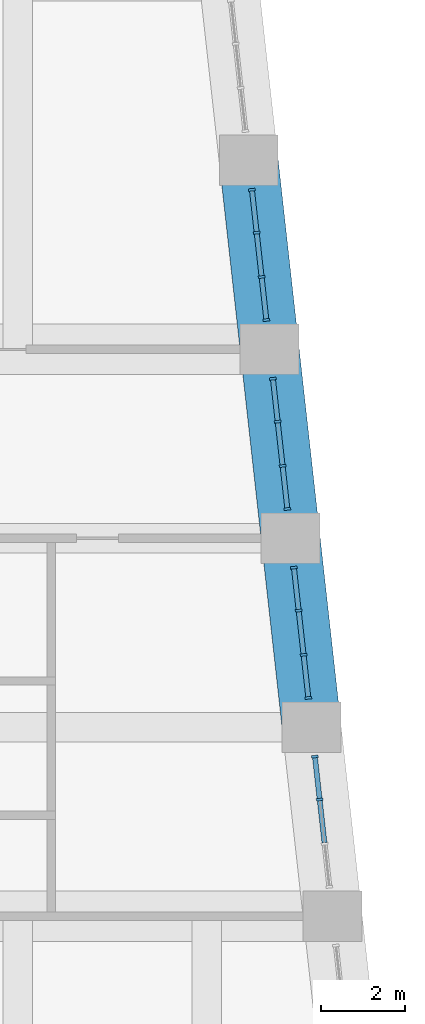
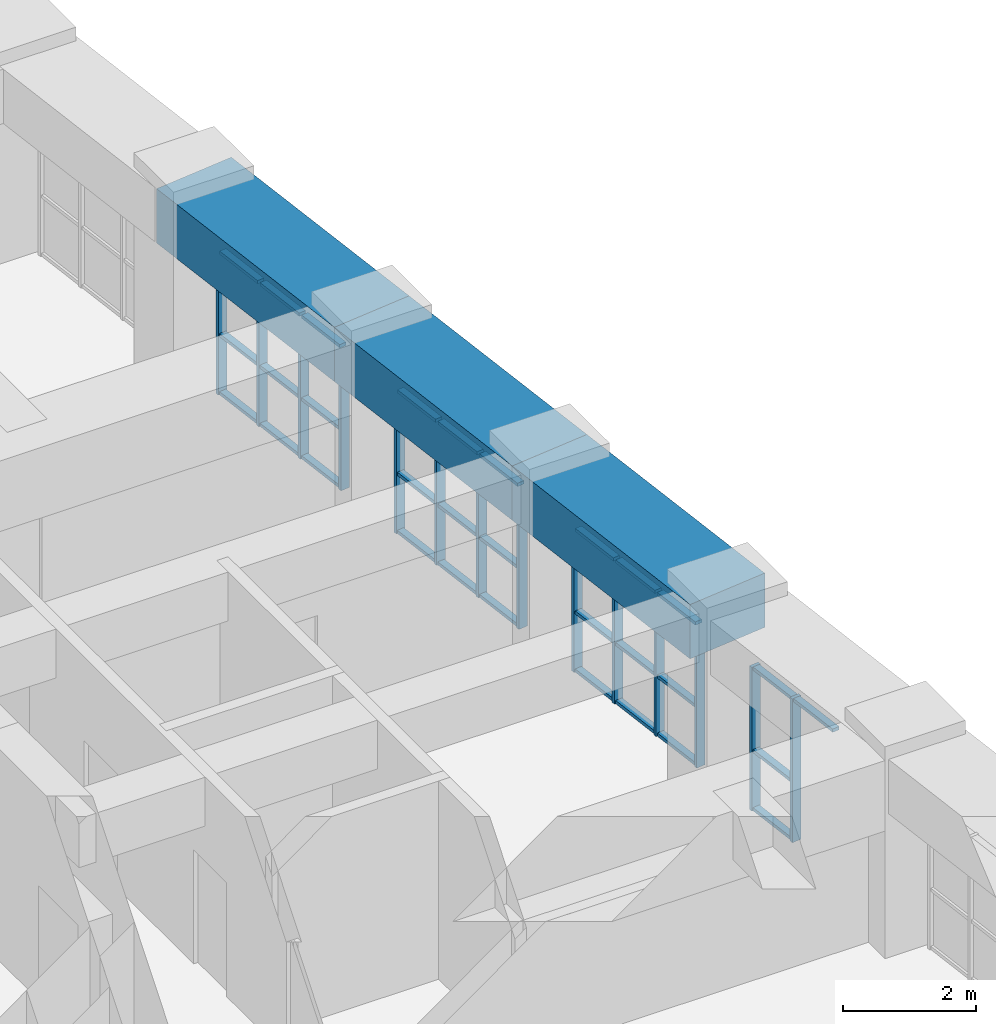
# One storey, part 7 of 18: 45 members, 3 beams, 4 elements without a shape of their own.
"""IFC4 building model written with IfcOpenShell, lengths in metres."""

from ifc_helpers import new_model, si_unit, direction, frame, origin, origin_2d, place, context, subcontext, project, spatial, rectangle, extrude, material, material_profile, profile_set, type_object, element, aggregate, save


model = new_model("IFC4")

# Units and contexts
model_context = context("Model", 3, precision=1e-05, world=origin(), true_north=direction((0.0, 1.0)))
body_context = subcontext(model_context, "Body", "Model", "MODEL_VIEW")
ifc_project = project(units=[si_unit("LENGTHUNIT", "METRE"), si_unit("AREAUNIT", "SQUARE_METRE"), si_unit("VOLUMEUNIT", "CUBIC_METRE"), si_unit("PLANEANGLEUNIT", "RADIAN"), si_unit("MASSUNIT", "GRAM", prefix="KILO")], contexts=[model_context])

# Site, building, storey
site_placement = place(None, origin())
site = spatial("IfcSite", under=ifc_project, at=site_placement, CompositionType="ELEMENT")
building_placement = place(site_placement, origin())
building = spatial("IfcBuilding", under=site, at=building_placement, Name="Kilele Tower Hotel", CompositionType="ELEMENT")
storey_placement = place(building_placement, frame((0.0, 0.0, 281.89990234375)))
storey = spatial("IfcBuildingStorey", under=building, at=storey_placement, Name="L72", CompositionType="ELEMENT", Elevation=281.89990234375)

# Curtain wall, members
ifc_material_1 = material(Name="Aluminium curtain wall, clear double glazing", Category="aluminium")
curtain_wall_type = type_object("IfcCurtainWallType", Name="Sky restaurant curtain wall CW-5", PredefinedType="NOTDEFINED", material=ifc_material_1)
curtain_wall_1_placement = place(storey_placement, origin())
curtain_wall_1 = element("IfcCurtainWall", 1, at=curtain_wall_1_placement, inside=storey, type_object=curtain_wall_type, Name="Sky restaurant curtain wall CW-5 L72", PredefinedType="NOTDEFINED")
ifc_material_2 = material(Name="Aluminium EN AW-6063 T6", Category="aluminium")
ifc_material_profile_1 = material_profile(ifc_material_2, rectangle(XDim=0.159912109375, YDim=0.06005859375, at=origin_2d()))
ifc_profile_set_1 = profile_set([ifc_material_profile_1], Name="Aluminium EN AW-6063 T6")
member_type_1 = type_object("IfcMemberType", Name="Mullion 60x160 CW-5", PredefinedType="MULLION", material=ifc_profile_set_1)
member_1_placement = place(storey_placement, frame((47.69140625, 16.27685546875, 0.0), z_axis=(0.0, 0.0, 1.0), x_axis=(-0.993883734681, -0.110431526007, 0.0)))
member_1 = element("IfcMember", 2, at=member_1_placement, type_object=member_type_1, Name="CW-5 mullion 3", PredefinedType="MULLION", context=body_context, shape_type="SweptSolid", body=[
    extrude(rectangle(XDim=0.159912109375, YDim=0.06005859375, at=origin_2d()), origin(), (0.0, 0.0, 1.0), 2.650146484375),
])
member_2_placement = place(storey_placement, frame((47.57763671875, 17.30078125, 0.0), z_axis=(0.0, 0.0, 1.0), x_axis=(-0.993883734681, -0.110431526007, 0.0)))
member_2 = element("IfcMember", 3, at=member_2_placement, type_object=member_type_1, Name="CW-5 mullion 4", PredefinedType="MULLION", context=body_context, shape_type="SweptSolid", body=[
    extrude(rectangle(XDim=0.159912109375, YDim=0.06005859375, at=origin_2d()), origin(), (0.0, 0.0, 1.0), 2.650146484375),
])

curtain_wall_2_placement = place(storey_placement, origin())
curtain_wall_2 = element("IfcCurtainWall", 4, at=curtain_wall_2_placement, inside=storey, type_object=curtain_wall_type, Name="Sky restaurant curtain wall CW-5 L72", PredefinedType="NOTDEFINED")
member_3_placement = place(storey_placement, frame((47.42236328125, 18.69921875, 0.0), z_axis=(0.0, 0.0, 1.0), x_axis=(-0.993883734681, -0.110431526007, 0.0)))
member_3 = element("IfcMember", 5, at=member_3_placement, type_object=member_type_1, Name="CW-5 mullion 1", PredefinedType="MULLION", context=body_context, shape_type="SweptSolid", body=[
    extrude(rectangle(XDim=0.159912109375, YDim=0.06005859375, at=origin_2d()), origin(), (0.0, 0.0, 1.0), 2.650146484375),
])
member_4_placement = place(storey_placement, frame((47.30859375, 19.72314453125, 0.0), z_axis=(0.0, 0.0, 1.0), x_axis=(-0.993883734681, -0.110431526007, 0.0)))
member_4 = element("IfcMember", 6, at=member_4_placement, type_object=member_type_1, Name="CW-5 mullion 2", PredefinedType="MULLION", context=body_context, shape_type="SweptSolid", body=[
    extrude(rectangle(XDim=0.159912109375, YDim=0.06005859375, at=origin_2d()), origin(), (0.0, 0.0, 1.0), 2.650146484375),
])
member_5_placement = place(storey_placement, frame((47.19140625, 20.77685546875, 0.0), z_axis=(0.0, 0.0, 1.0), x_axis=(-0.993883734681, -0.110431526007, 0.0)))
member_5 = element("IfcMember", 7, at=member_5_placement, type_object=member_type_1, Name="CW-5 mullion 3", PredefinedType="MULLION", context=body_context, shape_type="SweptSolid", body=[
    extrude(rectangle(XDim=0.159912109375, YDim=0.06005859375, at=origin_2d()), origin(), (0.0, 0.0, 1.0), 2.650146484375),
])
member_6_placement = place(storey_placement, frame((47.07763671875, 21.80078125, 0.0), z_axis=(0.0, 0.0, 1.0), x_axis=(-0.993883734681, -0.110431526007, 0.0)))
member_6 = element("IfcMember", 8, at=member_6_placement, type_object=member_type_1, Name="CW-5 mullion 4", PredefinedType="MULLION", context=body_context, shape_type="SweptSolid", body=[
    extrude(rectangle(XDim=0.159912109375, YDim=0.06005859375, at=origin_2d()), origin(), (0.0, 0.0, 1.0), 2.650146484375),
])

curtain_wall_3_placement = place(storey_placement, origin())
curtain_wall_3 = element("IfcCurtainWall", 9, at=curtain_wall_3_placement, inside=storey, type_object=curtain_wall_type, Name="Sky restaurant curtain wall CW-5 L72", PredefinedType="NOTDEFINED")
member_7_placement = place(storey_placement, frame((46.92236328125, 23.19921875, 0.0), z_axis=(0.0, 0.0, 1.0), x_axis=(-0.993883734681, -0.110431526007, 0.0)))
member_7 = element("IfcMember", 10, at=member_7_placement, type_object=member_type_1, Name="CW-5 mullion 1", PredefinedType="MULLION", context=body_context, shape_type="SweptSolid", body=[
    extrude(rectangle(XDim=0.159912109375, YDim=0.06005859375, at=origin_2d()), origin(), (0.0, 0.0, 1.0), 2.650146484375),
])
member_8_placement = place(storey_placement, frame((46.80859375, 24.22314453125, 0.0), z_axis=(0.0, 0.0, 1.0), x_axis=(-0.993883734681, -0.110431526007, 0.0)))
member_8 = element("IfcMember", 11, at=member_8_placement, type_object=member_type_1, Name="CW-5 mullion 2", PredefinedType="MULLION", context=body_context, shape_type="SweptSolid", body=[
    extrude(rectangle(XDim=0.159912109375, YDim=0.06005859375, at=origin_2d()), origin(), (0.0, 0.0, 1.0), 2.650146484375),
])
member_9_placement = place(storey_placement, frame((46.69140625, 25.27685546875, 0.0), z_axis=(0.0, 0.0, 1.0), x_axis=(-0.993883734681, -0.110431526007, 0.0)))
member_9 = element("IfcMember", 12, at=member_9_placement, type_object=member_type_1, Name="CW-5 mullion 3", PredefinedType="MULLION", context=body_context, shape_type="SweptSolid", body=[
    extrude(rectangle(XDim=0.159912109375, YDim=0.06005859375, at=origin_2d()), origin(), (0.0, 0.0, 1.0), 2.650146484375),
])
member_10_placement = place(storey_placement, frame((46.57763671875, 26.30078125, 0.0), z_axis=(0.0, 0.0, 1.0), x_axis=(-0.993883734681, -0.110431526007, 0.0)))
member_10 = element("IfcMember", 13, at=member_10_placement, type_object=member_type_1, Name="CW-5 mullion 4", PredefinedType="MULLION", context=body_context, shape_type="SweptSolid", body=[
    extrude(rectangle(XDim=0.159912109375, YDim=0.06005859375, at=origin_2d()), origin(), (0.0, 0.0, 1.0), 2.650146484375),
])

curtain_wall_4_placement = place(storey_placement, origin())
curtain_wall_4 = element("IfcCurtainWall", 14, at=curtain_wall_4_placement, inside=storey, type_object=curtain_wall_type, Name="Sky restaurant curtain wall CW-5 L72", PredefinedType="NOTDEFINED")
member_11_placement = place(storey_placement, frame((46.42236328125, 27.69921875, 0.0), z_axis=(0.0, 0.0, 1.0), x_axis=(-0.993883734681, -0.110431526007, 0.0)))
member_11 = element("IfcMember", 15, at=member_11_placement, type_object=member_type_1, Name="CW-5 mullion 1", PredefinedType="MULLION", context=body_context, shape_type="SweptSolid", body=[
    extrude(rectangle(XDim=0.159912109375, YDim=0.06005859375, at=origin_2d()), origin(), (0.0, 0.0, 1.0), 2.650146484375),
])
member_12_placement = place(storey_placement, frame((46.30859375, 28.72314453125, 0.0), z_axis=(0.0, 0.0, 1.0), x_axis=(-0.993883734681, -0.110431526007, 0.0)))
member_12 = element("IfcMember", 16, at=member_12_placement, type_object=member_type_1, Name="CW-5 mullion 2", PredefinedType="MULLION", context=body_context, shape_type="SweptSolid", body=[
    extrude(rectangle(XDim=0.159912109375, YDim=0.06005859375, at=origin_2d()), origin(), (0.0, 0.0, 1.0), 2.650146484375),
])
member_13_placement = place(storey_placement, frame((46.19140625, 29.77685546875, 0.0), z_axis=(0.0, 0.0, 1.0), x_axis=(-0.993883734681, -0.110431526007, 0.0)))
member_13 = element("IfcMember", 17, at=member_13_placement, type_object=member_type_1, Name="CW-5 mullion 3", PredefinedType="MULLION", context=body_context, shape_type="SweptSolid", body=[
    extrude(rectangle(XDim=0.159912109375, YDim=0.06005859375, at=origin_2d()), origin(), (0.0, 0.0, 1.0), 2.650146484375),
])
member_14_placement = place(storey_placement, frame((46.07763671875, 30.80078125, 0.0), z_axis=(0.0, 0.0, 1.0), x_axis=(-0.993883734681, -0.110431526007, 0.0)))
member_14 = element("IfcMember", 18, at=member_14_placement, type_object=member_type_1, Name="CW-5 mullion 4", PredefinedType="MULLION", context=body_context, shape_type="SweptSolid", body=[
    extrude(rectangle(XDim=0.159912109375, YDim=0.06005859375, at=origin_2d()), origin(), (0.0, 0.0, 1.0), 2.650146484375),
])

# Beams
ifc_material_3 = material(Name="Concrete C60/75", Category="concrete")
ifc_material_profile_2 = material_profile(ifc_material_3, rectangle(XDim=1.39990234375, YDim=1.0, at=origin_2d()))
ifc_profile_set_2 = profile_set([ifc_material_profile_2], Name="Concrete C60/75")
beam_type = type_object("IfcBeamType", Name="Spandrel RC 1400x1000 C60/75", PredefinedType="SPANDREL", material=ifc_profile_set_2)
for number, where, z_axis, x_axis, name in (
    (19, (47.5, 18.0, 3.150146484375), (-0.110431526075, 0.993883734674, 0.0), (-0.993883734674, -0.110431526075, 0.0), "Spandrel SP1 level L73"),
    (20, (47.0, 22.5, 3.150146484375), (-0.110431526075, 0.993883734674, 0.0), (-0.993883734674, -0.110431526075, 0.0), "Spandrel SP1 level L73"),
    (21, (46.5, 27.0, 3.150146484375), (-0.110431526075, 0.993883734674, 0.0), (-0.993883734674, -0.110431526075, 0.0), "Spandrel SP1 level L73"),
):
    element("IfcBeam", number, at=place(storey_placement, frame(where, z_axis=z_axis, x_axis=x_axis)), inside=storey, type_object=beam_type, Name=name, PredefinedType="SPANDREL", context=body_context, shape_type="SweptSolid", body=[
        extrude(rectangle(XDim=1.39990234375, YDim=1.0, at=origin_2d()), origin(), (0.0, 0.0, 1.0), 4.527587890625),
    ])

# Member
ifc_material_4 = material(Name="Aluminium EN AW-6063 T6", Category="aluminium")
ifc_material_profile_3 = material_profile(ifc_material_4, rectangle(XDim=0.1201171875, YDim=0.06005859375, at=origin_2d()))
ifc_profile_set_3 = profile_set([ifc_material_profile_3], Name="Aluminium EN AW-6063 T6")
member_type_2 = type_object("IfcMemberType", Name="Transom 60x120 CW-5", PredefinedType="USERDEFINED", material=ifc_profile_set_3)
member_15_placement = place(storey_placement, frame((47.80517578125, 15.2529296875, 2.6201171875), z_axis=(-0.110324368158, 0.993895635261, 0.0), x_axis=(-0.993895635261, -0.110324368158, 0.0)))
member_15 = element("IfcMember", 22, at=member_15_placement, type_object=member_type_2, Name="CW-5 transom 2.3", ObjectType="TRANSOM", PredefinedType="USERDEFINED", context=body_context, shape_type="SweptSolid", body=[
    extrude(rectangle(XDim=0.1201171875, YDim=0.06005859375, at=origin_2d()), origin(), (0.0, 0.0, 1.0), 1.000244140625),
])

member_16_placement = place(storey_placement, frame((47.688232421875, 16.306640625, 0.030029296875), z_axis=(-0.11048677236, 0.993877594643, 0.0), x_axis=(-0.993877594643, -0.11048677236, 0.0)))
member_16 = element("IfcMember", 23, at=member_16_placement, type_object=member_type_2, Name="CW-5 transom 3.1", ObjectType="TRANSOM", PredefinedType="USERDEFINED", context=body_context, shape_type="SweptSolid", body=[
    extrude(rectangle(XDim=0.1201171875, YDim=0.06005859375, at=origin_2d()), origin(), (0.0, 0.0, 1.0), 0.969970703125),
])

member_17_placement = place(storey_placement, frame((47.688232421875, 16.306640625, 1.10009765625), z_axis=(-0.11048677236, 0.993877594643, 0.0), x_axis=(-0.993877594643, -0.11048677236, 0.0)))
member_17 = element("IfcMember", 24, at=member_17_placement, type_object=member_type_2, Name="CW-5 transom 3.2", ObjectType="TRANSOM", PredefinedType="USERDEFINED", context=body_context, shape_type="SweptSolid", body=[
    extrude(rectangle(XDim=0.1201171875, YDim=0.06005859375, at=origin_2d()), origin(), (0.0, 0.0, 1.0), 0.969970703125),
])

member_18_placement = place(storey_placement, frame((47.688232421875, 16.306640625, 2.6201171875), z_axis=(-0.11048677236, 0.993877594643, 0.0), x_axis=(-0.993877594643, -0.11048677236, 0.0)))
member_18 = element("IfcMember", 25, at=member_18_placement, type_object=member_type_2, Name="CW-5 transom 3.3", ObjectType="TRANSOM", PredefinedType="USERDEFINED", context=body_context, shape_type="SweptSolid", body=[
    extrude(rectangle(XDim=0.1201171875, YDim=0.06005859375, at=origin_2d()), origin(), (0.0, 0.0, 1.0), 0.969970703125),
])

aggregate(curtain_wall_1, [member_1, member_2, member_15, member_16, member_17, member_18])

member_19_placement = place(storey_placement, frame((47.4189453125, 18.729248046875, 0.030029296875), z_axis=(-0.11048677236, 0.993877594643, 0.0), x_axis=(-0.993877594643, -0.11048677236, 0.0)))
member_19 = element("IfcMember", 26, at=member_19_placement, type_object=member_type_2, Name="CW-5 transom 1.1", ObjectType="TRANSOM", PredefinedType="USERDEFINED", context=body_context, shape_type="SweptSolid", body=[
    extrude(rectangle(XDim=0.1201171875, YDim=0.06005859375, at=origin_2d()), origin(), (0.0, 0.0, 1.0), 0.969970703125),
])

member_20_placement = place(storey_placement, frame((47.4189453125, 18.729248046875, 1.10009765625), z_axis=(-0.11048677236, 0.993877594643, 0.0), x_axis=(-0.993877594643, -0.11048677236, 0.0)))
member_20 = element("IfcMember", 27, at=member_20_placement, type_object=member_type_2, Name="CW-5 transom 1.2", ObjectType="TRANSOM", PredefinedType="USERDEFINED", context=body_context, shape_type="SweptSolid", body=[
    extrude(rectangle(XDim=0.1201171875, YDim=0.06005859375, at=origin_2d()), origin(), (0.0, 0.0, 1.0), 0.969970703125),
])

member_21_placement = place(storey_placement, frame((47.4189453125, 18.729248046875, 2.6201171875), z_axis=(-0.11048677236, 0.993877594643, 0.0), x_axis=(-0.993877594643, -0.11048677236, 0.0)))
member_21 = element("IfcMember", 28, at=member_21_placement, type_object=member_type_2, Name="CW-5 transom 1.3", ObjectType="TRANSOM", PredefinedType="USERDEFINED", context=body_context, shape_type="SweptSolid", body=[
    extrude(rectangle(XDim=0.1201171875, YDim=0.06005859375, at=origin_2d()), origin(), (0.0, 0.0, 1.0), 0.969970703125),
])

member_22_placement = place(storey_placement, frame((47.30517578125, 19.7529296875, 0.030029296875), z_axis=(-0.110324368158, 0.993895635261, 0.0), x_axis=(-0.993895635261, -0.110324368158, 0.0)))
member_22 = element("IfcMember", 29, at=member_22_placement, type_object=member_type_2, Name="CW-5 transom 2.1", ObjectType="TRANSOM", PredefinedType="USERDEFINED", context=body_context, shape_type="SweptSolid", body=[
    extrude(rectangle(XDim=0.1201171875, YDim=0.06005859375, at=origin_2d()), origin(), (0.0, 0.0, 1.0), 1.000244140625),
])

member_23_placement = place(storey_placement, frame((47.30517578125, 19.7529296875, 1.10009765625), z_axis=(-0.110324368158, 0.993895635261, 0.0), x_axis=(-0.993895635261, -0.110324368158, 0.0)))
member_23 = element("IfcMember", 30, at=member_23_placement, type_object=member_type_2, Name="CW-5 transom 2.2", ObjectType="TRANSOM", PredefinedType="USERDEFINED", context=body_context, shape_type="SweptSolid", body=[
    extrude(rectangle(XDim=0.1201171875, YDim=0.06005859375, at=origin_2d()), origin(), (0.0, 0.0, 1.0), 1.000244140625),
])

member_24_placement = place(storey_placement, frame((47.30517578125, 19.7529296875, 2.6201171875), z_axis=(-0.110324368158, 0.993895635261, 0.0), x_axis=(-0.993895635261, -0.110324368158, 0.0)))
member_24 = element("IfcMember", 31, at=member_24_placement, type_object=member_type_2, Name="CW-5 transom 2.3", ObjectType="TRANSOM", PredefinedType="USERDEFINED", context=body_context, shape_type="SweptSolid", body=[
    extrude(rectangle(XDim=0.1201171875, YDim=0.06005859375, at=origin_2d()), origin(), (0.0, 0.0, 1.0), 1.000244140625),
])

member_25_placement = place(storey_placement, frame((47.188232421875, 20.806640625, 0.030029296875), z_axis=(-0.11048677236, 0.993877594643, 0.0), x_axis=(-0.993877594643, -0.11048677236, 0.0)))
member_25 = element("IfcMember", 32, at=member_25_placement, type_object=member_type_2, Name="CW-5 transom 3.1", ObjectType="TRANSOM", PredefinedType="USERDEFINED", context=body_context, shape_type="SweptSolid", body=[
    extrude(rectangle(XDim=0.1201171875, YDim=0.06005859375, at=origin_2d()), origin(), (0.0, 0.0, 1.0), 0.969970703125),
])

member_26_placement = place(storey_placement, frame((47.188232421875, 20.806640625, 1.10009765625), z_axis=(-0.11048677236, 0.993877594643, 0.0), x_axis=(-0.993877594643, -0.11048677236, 0.0)))
member_26 = element("IfcMember", 33, at=member_26_placement, type_object=member_type_2, Name="CW-5 transom 3.2", ObjectType="TRANSOM", PredefinedType="USERDEFINED", context=body_context, shape_type="SweptSolid", body=[
    extrude(rectangle(XDim=0.1201171875, YDim=0.06005859375, at=origin_2d()), origin(), (0.0, 0.0, 1.0), 0.969970703125),
])

member_27_placement = place(storey_placement, frame((47.188232421875, 20.806640625, 2.6201171875), z_axis=(-0.11048677236, 0.993877594643, 0.0), x_axis=(-0.993877594643, -0.11048677236, 0.0)))
member_27 = element("IfcMember", 34, at=member_27_placement, type_object=member_type_2, Name="CW-5 transom 3.3", ObjectType="TRANSOM", PredefinedType="USERDEFINED", context=body_context, shape_type="SweptSolid", body=[
    extrude(rectangle(XDim=0.1201171875, YDim=0.06005859375, at=origin_2d()), origin(), (0.0, 0.0, 1.0), 0.969970703125),
])

aggregate(curtain_wall_2, [member_3, member_4, member_5, member_6, member_19, member_20, member_21, member_22, member_23, member_24, member_25, member_26, member_27])

member_28_placement = place(storey_placement, frame((46.9189453125, 23.229248046875, 0.030029296875), z_axis=(-0.11048677236, 0.993877594643, 0.0), x_axis=(-0.993877594643, -0.11048677236, 0.0)))
member_28 = element("IfcMember", 35, at=member_28_placement, type_object=member_type_2, Name="CW-5 transom 1.1", ObjectType="TRANSOM", PredefinedType="USERDEFINED", context=body_context, shape_type="SweptSolid", body=[
    extrude(rectangle(XDim=0.1201171875, YDim=0.06005859375, at=origin_2d()), origin(), (0.0, 0.0, 1.0), 0.969970703125),
])

member_29_placement = place(storey_placement, frame((46.9189453125, 23.229248046875, 1.10009765625), z_axis=(-0.11048677236, 0.993877594643, 0.0), x_axis=(-0.993877594643, -0.11048677236, 0.0)))
member_29 = element("IfcMember", 36, at=member_29_placement, type_object=member_type_2, Name="CW-5 transom 1.2", ObjectType="TRANSOM", PredefinedType="USERDEFINED", context=body_context, shape_type="SweptSolid", body=[
    extrude(rectangle(XDim=0.1201171875, YDim=0.06005859375, at=origin_2d()), origin(), (0.0, 0.0, 1.0), 0.969970703125),
])

member_30_placement = place(storey_placement, frame((46.9189453125, 23.229248046875, 2.6201171875), z_axis=(-0.11048677236, 0.993877594643, 0.0), x_axis=(-0.993877594643, -0.11048677236, 0.0)))
member_30 = element("IfcMember", 37, at=member_30_placement, type_object=member_type_2, Name="CW-5 transom 1.3", ObjectType="TRANSOM", PredefinedType="USERDEFINED", context=body_context, shape_type="SweptSolid", body=[
    extrude(rectangle(XDim=0.1201171875, YDim=0.06005859375, at=origin_2d()), origin(), (0.0, 0.0, 1.0), 0.969970703125),
])

member_31_placement = place(storey_placement, frame((46.80517578125, 24.2529296875, 0.030029296875), z_axis=(-0.110324368158, 0.993895635261, 0.0), x_axis=(-0.993895635261, -0.110324368158, 0.0)))
member_31 = element("IfcMember", 38, at=member_31_placement, type_object=member_type_2, Name="CW-5 transom 2.1", ObjectType="TRANSOM", PredefinedType="USERDEFINED", context=body_context, shape_type="SweptSolid", body=[
    extrude(rectangle(XDim=0.1201171875, YDim=0.06005859375, at=origin_2d()), origin(), (0.0, 0.0, 1.0), 1.000244140625),
])

member_32_placement = place(storey_placement, frame((46.80517578125, 24.2529296875, 1.10009765625), z_axis=(-0.110324368158, 0.993895635261, 0.0), x_axis=(-0.993895635261, -0.110324368158, 0.0)))
member_32 = element("IfcMember", 39, at=member_32_placement, type_object=member_type_2, Name="CW-5 transom 2.2", ObjectType="TRANSOM", PredefinedType="USERDEFINED", context=body_context, shape_type="SweptSolid", body=[
    extrude(rectangle(XDim=0.1201171875, YDim=0.06005859375, at=origin_2d()), origin(), (0.0, 0.0, 1.0), 1.000244140625),
])

member_33_placement = place(storey_placement, frame((46.80517578125, 24.2529296875, 2.6201171875), z_axis=(-0.110324368158, 0.993895635261, 0.0), x_axis=(-0.993895635261, -0.110324368158, 0.0)))
member_33 = element("IfcMember", 40, at=member_33_placement, type_object=member_type_2, Name="CW-5 transom 2.3", ObjectType="TRANSOM", PredefinedType="USERDEFINED", context=body_context, shape_type="SweptSolid", body=[
    extrude(rectangle(XDim=0.1201171875, YDim=0.06005859375, at=origin_2d()), origin(), (0.0, 0.0, 1.0), 1.000244140625),
])

member_34_placement = place(storey_placement, frame((46.688232421875, 25.306640625, 0.030029296875), z_axis=(-0.11048677236, 0.993877594643, 0.0), x_axis=(-0.993877594643, -0.11048677236, 0.0)))
member_34 = element("IfcMember", 41, at=member_34_placement, type_object=member_type_2, Name="CW-5 transom 3.1", ObjectType="TRANSOM", PredefinedType="USERDEFINED", context=body_context, shape_type="SweptSolid", body=[
    extrude(rectangle(XDim=0.1201171875, YDim=0.06005859375, at=origin_2d()), origin(), (0.0, 0.0, 1.0), 0.969970703125),
])

member_35_placement = place(storey_placement, frame((46.688232421875, 25.306640625, 1.10009765625), z_axis=(-0.11048677236, 0.993877594643, 0.0), x_axis=(-0.993877594643, -0.11048677236, 0.0)))
member_35 = element("IfcMember", 42, at=member_35_placement, type_object=member_type_2, Name="CW-5 transom 3.2", ObjectType="TRANSOM", PredefinedType="USERDEFINED", context=body_context, shape_type="SweptSolid", body=[
    extrude(rectangle(XDim=0.1201171875, YDim=0.06005859375, at=origin_2d()), origin(), (0.0, 0.0, 1.0), 0.969970703125),
])

member_36_placement = place(storey_placement, frame((46.688232421875, 25.306640625, 2.6201171875), z_axis=(-0.11048677236, 0.993877594643, 0.0), x_axis=(-0.993877594643, -0.11048677236, 0.0)))
member_36 = element("IfcMember", 43, at=member_36_placement, type_object=member_type_2, Name="CW-5 transom 3.3", ObjectType="TRANSOM", PredefinedType="USERDEFINED", context=body_context, shape_type="SweptSolid", body=[
    extrude(rectangle(XDim=0.1201171875, YDim=0.06005859375, at=origin_2d()), origin(), (0.0, 0.0, 1.0), 0.969970703125),
])

aggregate(curtain_wall_3, [member_7, member_8, member_9, member_10, member_28, member_29, member_30, member_31, member_32, member_33, member_34, member_35, member_36])

member_37_placement = place(storey_placement, frame((46.4189453125, 27.729248046875, 0.030029296875), z_axis=(-0.11048677236, 0.993877594643, 0.0), x_axis=(-0.993877594643, -0.11048677236, 0.0)))
member_37 = element("IfcMember", 44, at=member_37_placement, type_object=member_type_2, Name="CW-5 transom 1.1", ObjectType="TRANSOM", PredefinedType="USERDEFINED", context=body_context, shape_type="SweptSolid", body=[
    extrude(rectangle(XDim=0.1201171875, YDim=0.06005859375, at=origin_2d()), origin(), (0.0, 0.0, 1.0), 0.969970703125),
])

member_38_placement = place(storey_placement, frame((46.4189453125, 27.729248046875, 1.10009765625), z_axis=(-0.11048677236, 0.993877594643, 0.0), x_axis=(-0.993877594643, -0.11048677236, 0.0)))
member_38 = element("IfcMember", 45, at=member_38_placement, type_object=member_type_2, Name="CW-5 transom 1.2", ObjectType="TRANSOM", PredefinedType="USERDEFINED", context=body_context, shape_type="SweptSolid", body=[
    extrude(rectangle(XDim=0.1201171875, YDim=0.06005859375, at=origin_2d()), origin(), (0.0, 0.0, 1.0), 0.969970703125),
])

member_39_placement = place(storey_placement, frame((46.4189453125, 27.729248046875, 2.6201171875), z_axis=(-0.11048677236, 0.993877594643, 0.0), x_axis=(-0.993877594643, -0.11048677236, 0.0)))
member_39 = element("IfcMember", 46, at=member_39_placement, type_object=member_type_2, Name="CW-5 transom 1.3", ObjectType="TRANSOM", PredefinedType="USERDEFINED", context=body_context, shape_type="SweptSolid", body=[
    extrude(rectangle(XDim=0.1201171875, YDim=0.06005859375, at=origin_2d()), origin(), (0.0, 0.0, 1.0), 0.969970703125),
])

member_40_placement = place(storey_placement, frame((46.30517578125, 28.7529296875, 0.030029296875), z_axis=(-0.110324368158, 0.993895635261, 0.0), x_axis=(-0.993895635261, -0.110324368158, 0.0)))
member_40 = element("IfcMember", 47, at=member_40_placement, type_object=member_type_2, Name="CW-5 transom 2.1", ObjectType="TRANSOM", PredefinedType="USERDEFINED", context=body_context, shape_type="SweptSolid", body=[
    extrude(rectangle(XDim=0.1201171875, YDim=0.06005859375, at=origin_2d()), origin(), (0.0, 0.0, 1.0), 1.000244140625),
])

member_41_placement = place(storey_placement, frame((46.30517578125, 28.7529296875, 1.10009765625), z_axis=(-0.110324368158, 0.993895635261, 0.0), x_axis=(-0.993895635261, -0.110324368158, 0.0)))
member_41 = element("IfcMember", 48, at=member_41_placement, type_object=member_type_2, Name="CW-5 transom 2.2", ObjectType="TRANSOM", PredefinedType="USERDEFINED", context=body_context, shape_type="SweptSolid", body=[
    extrude(rectangle(XDim=0.1201171875, YDim=0.06005859375, at=origin_2d()), origin(), (0.0, 0.0, 1.0), 1.000244140625),
])

member_42_placement = place(storey_placement, frame((46.30517578125, 28.7529296875, 2.6201171875), z_axis=(-0.110324368158, 0.993895635261, 0.0), x_axis=(-0.993895635261, -0.110324368158, 0.0)))
member_42 = element("IfcMember", 49, at=member_42_placement, type_object=member_type_2, Name="CW-5 transom 2.3", ObjectType="TRANSOM", PredefinedType="USERDEFINED", context=body_context, shape_type="SweptSolid", body=[
    extrude(rectangle(XDim=0.1201171875, YDim=0.06005859375, at=origin_2d()), origin(), (0.0, 0.0, 1.0), 1.000244140625),
])

member_43_placement = place(storey_placement, frame((46.188232421875, 29.806640625, 0.030029296875), z_axis=(-0.11048677236, 0.993877594643, 0.0), x_axis=(-0.993877594643, -0.11048677236, 0.0)))
member_43 = element("IfcMember", 50, at=member_43_placement, type_object=member_type_2, Name="CW-5 transom 3.1", ObjectType="TRANSOM", PredefinedType="USERDEFINED", context=body_context, shape_type="SweptSolid", body=[
    extrude(rectangle(XDim=0.1201171875, YDim=0.06005859375, at=origin_2d()), origin(), (0.0, 0.0, 1.0), 0.969970703125),
])

member_44_placement = place(storey_placement, frame((46.188232421875, 29.806640625, 1.10009765625), z_axis=(-0.11048677236, 0.993877594643, 0.0), x_axis=(-0.993877594643, -0.11048677236, 0.0)))
member_44 = element("IfcMember", 51, at=member_44_placement, type_object=member_type_2, Name="CW-5 transom 3.2", ObjectType="TRANSOM", PredefinedType="USERDEFINED", context=body_context, shape_type="SweptSolid", body=[
    extrude(rectangle(XDim=0.1201171875, YDim=0.06005859375, at=origin_2d()), origin(), (0.0, 0.0, 1.0), 0.969970703125),
])

member_45_placement = place(storey_placement, frame((46.188232421875, 29.806640625, 2.6201171875), z_axis=(-0.11048677236, 0.993877594643, 0.0), x_axis=(-0.993877594643, -0.11048677236, 0.0)))
member_45 = element("IfcMember", 52, at=member_45_placement, type_object=member_type_2, Name="CW-5 transom 3.3", ObjectType="TRANSOM", PredefinedType="USERDEFINED", context=body_context, shape_type="SweptSolid", body=[
    extrude(rectangle(XDim=0.1201171875, YDim=0.06005859375, at=origin_2d()), origin(), (0.0, 0.0, 1.0), 0.969970703125),
])

aggregate(curtain_wall_4, [member_11, member_12, member_13, member_14, member_37, member_38, member_39, member_40, member_41, member_42, member_43, member_44, member_45])

save(model, "model.ifc")
